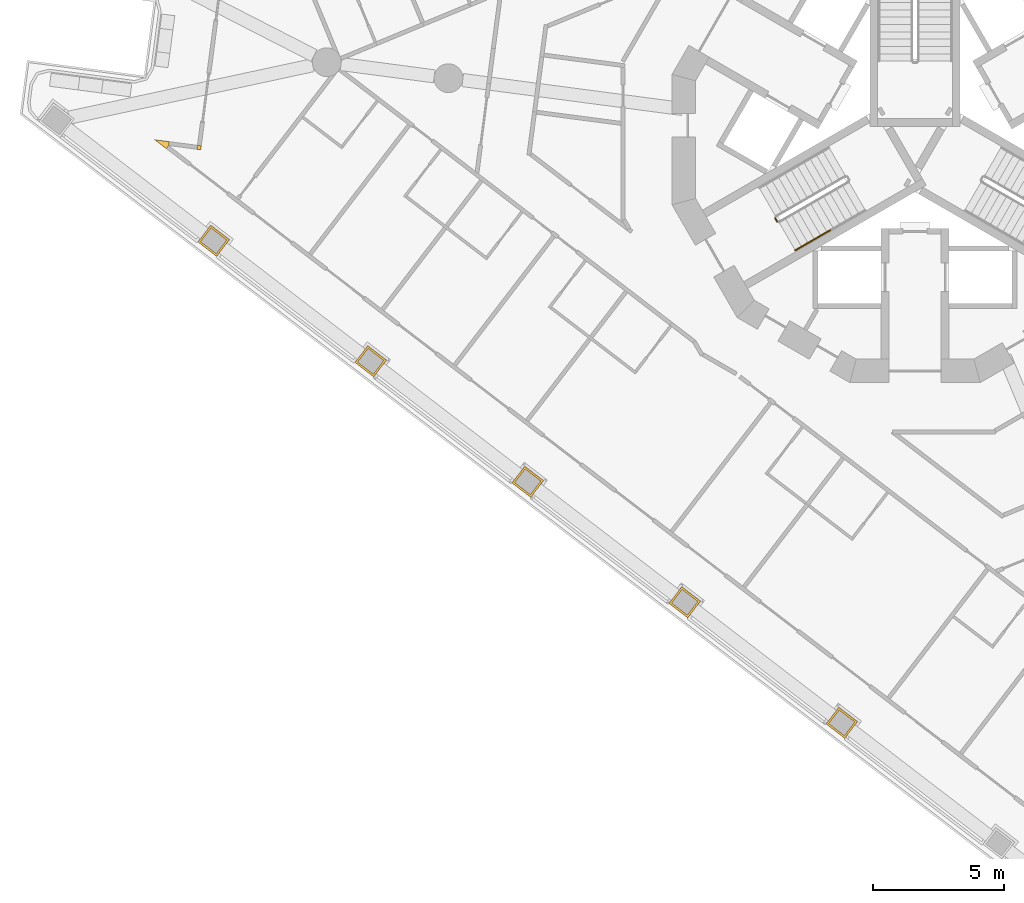
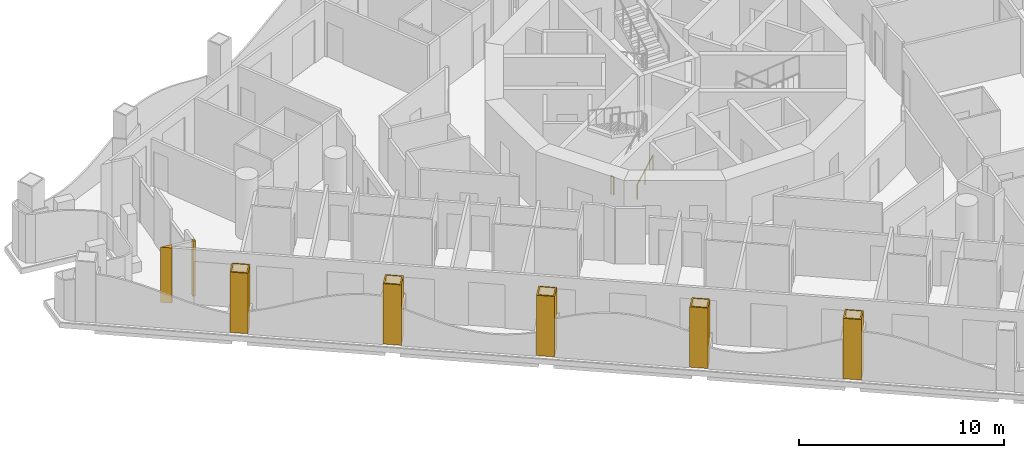
# One storey, part 11 of 17: 7 coverings, 2 railings.
"""IFC4 building model written with IfcOpenShell, lengths in metres."""

from ifc_helpers import new_model, si_unit, direction, frame, origin, origin_2d, place, context, subcontext, project, spatial, polyline, circle, outline, extrude, material, layer, layer_set, type_object, element, save


model = new_model("IFC4")

# Units and contexts
model_context = context("Model", 3, precision=1e-05, world=origin(), true_north=direction((0.0, 1.0)))
body_context = subcontext(model_context, "Body", "Model", "MODEL_VIEW")
ifc_project = project(units=[si_unit("LENGTHUNIT", "METRE"), si_unit("AREAUNIT", "SQUARE_METRE"), si_unit("VOLUMEUNIT", "CUBIC_METRE"), si_unit("PLANEANGLEUNIT", "RADIAN"), si_unit("MASSUNIT", "GRAM", prefix="KILO")], contexts=[model_context])

# Site, building, storey
site_placement = place(None, origin())
site = spatial("IfcSite", under=ifc_project, at=site_placement, CompositionType="ELEMENT")
building_placement = place(site_placement, origin())
building = spatial("IfcBuilding", under=site, at=building_placement, Name="Trine Commons Tower", CompositionType="ELEMENT")
storey_placement = place(building_placement, frame((0.0, 0.0, 138.60009765625)))
storey = spatial("IfcBuildingStorey", under=building, at=storey_placement, Name="L35", CompositionType="ELEMENT", Elevation=138.60009765625)

# Coverings
ifc_material_1 = material(Name="Aluminium-framed insulated wall panel", Category="aluminium")
ifc_layer_1 = layer(ifc_material_1, 0.14990234375)
ifc_layer_set_1 = layer_set([ifc_layer_1], Name="Aluminium-framed insulated wall panel")
covering_type_1 = type_object("IfcCoveringType", Name="Glazing corner post, aluminium", PredefinedType="CLADDING", material=ifc_layer_set_1)
covering_1_placement = place(storey_placement, origin())
element("IfcCovering", 1, at=covering_1_placement, inside=storey, type_object=covering_type_1, Name="Glazing corner post 4-01", PredefinedType="CLADDING", context=body_context, shape_type="SweptSolid", body=[
    extrude(outline(polyline([(51.43359375, 62.15576171875), (51.52490234375, 62.27490234375), (51.54443359375, 62.423583984375), (50.989501953125, 62.49658203125), (51.43359375, 62.15576171875)])), origin(), (0.0, 0.0, 1.0), 3.2998046875),
])
covering_2_placement = place(storey_placement, origin())
element("IfcCovering", 2, at=covering_2_placement, inside=storey, type_object=covering_type_1, Name="Glazing corner post 4-02", PredefinedType="CLADDING", context=body_context, shape_type="SweptSolid", body=[
    extrude(outline(polyline([(52.601318359375, 62.133056640625), (52.75, 62.113525390625), (52.76953125, 62.26220703125), (52.620849609375, 62.28173828125), (52.601318359375, 62.133056640625)])), origin(), (0.0, 0.0, 1.0), 3.2998046875),
])
ifc_material_2 = material(Name="Limestone, honed", Category="masonry")
ifc_layer_2 = layer(ifc_material_2, 0.074951171875)
ifc_layer_set_2 = layer_set([ifc_layer_2], Name="Limestone, honed")
covering_type_2 = type_object("IfcCoveringType", Name="Limestone column cladding 75", PredefinedType="CLADDING", material=ifc_layer_set_2)
covering_3_placement = place(storey_placement, origin())
element("IfcCovering", 3, at=covering_3_placement, inside=storey, type_object=covering_type_2, Name="Limestone pier cladding 4-03", PredefinedType="CLADDING", context=body_context, shape_type="SweptSolid", body=[
    extrude(outline(polyline([(77.092041015625, 40.84130859375), (76.60498046875, 40.206787109375), (77.319091796875, 39.65869140625), (77.805908203125, 40.29345703125), (77.092041015625, 40.84130859375)]), holes=[polyline([(77.105712890625, 40.736083984375), (76.710205078125, 40.220458984375), (77.30517578125, 39.763916015625), (77.700927734375, 40.27978515625), (77.105712890625, 40.736083984375)])]), origin(), (0.0, 0.0, 1.0), 3.599853515625),
])
covering_4_placement = place(storey_placement, origin())
element("IfcCovering", 4, at=covering_4_placement, inside=storey, type_object=covering_type_2, Name="Limestone pier cladding 4-04", PredefinedType="CLADDING", context=body_context, shape_type="SweptSolid", body=[
    extrude(outline(polyline([(71.1005859375, 45.438720703125), (70.61376953125, 44.803955078125), (71.32763671875, 44.256103515625), (71.814697265625, 44.890869140625), (71.1005859375, 45.438720703125)]), holes=[polyline([(71.114501953125, 45.33349609375), (70.71875, 44.81787109375), (71.31396484375, 44.361328125), (71.709716796875, 44.876953125), (71.114501953125, 45.33349609375)])]), origin(), (0.0, 0.0, 1.0), 3.599853515625),
])
covering_5_placement = place(storey_placement, origin())
element("IfcCovering", 5, at=covering_5_placement, inside=storey, type_object=covering_type_2, Name="Limestone pier cladding 4-05", PredefinedType="CLADDING", context=body_context, shape_type="SweptSolid", body=[
    extrude(outline(polyline([(65.109375, 50.035888671875), (64.622314453125, 49.4013671875), (65.336181640625, 48.853515625), (65.8232421875, 49.488037109375), (65.109375, 50.035888671875)]), holes=[polyline([(65.123046875, 49.930908203125), (64.727294921875, 49.4150390625), (65.322509765625, 48.95849609375), (65.71826171875, 49.474365234375), (65.123046875, 49.930908203125)])]), origin(), (0.0, 0.0, 1.0), 3.599853515625),
])
covering_6_placement = place(storey_placement, origin())
element("IfcCovering", 6, at=covering_6_placement, inside=storey, type_object=covering_type_2, Name="Limestone pier cladding 4-06", PredefinedType="CLADDING", context=body_context, shape_type="SweptSolid", body=[
    extrude(outline(polyline([(59.117919921875, 54.63330078125), (58.631103515625, 53.998779296875), (59.344970703125, 53.45068359375), (59.83203125, 54.08544921875), (59.117919921875, 54.63330078125)]), holes=[polyline([(59.1318359375, 54.5283203125), (58.736083984375, 54.012451171875), (59.331298828125, 53.555908203125), (59.726806640625, 54.07177734375), (59.1318359375, 54.5283203125)])]), origin(), (0.0, 0.0, 1.0), 3.599853515625),
])
covering_7_placement = place(storey_placement, origin())
element("IfcCovering", 7, at=covering_7_placement, inside=storey, type_object=covering_type_2, Name="Limestone pier cladding 4-07", PredefinedType="CLADDING", context=body_context, shape_type="SweptSolid", body=[
    extrude(outline(polyline([(53.126708984375, 59.230712890625), (52.6396484375, 58.595947265625), (53.353515625, 58.048095703125), (53.840576171875, 58.682861328125), (53.126708984375, 59.230712890625)]), holes=[polyline([(53.140380859375, 59.12548828125), (52.74462890625, 58.60986328125), (53.33984375, 58.1533203125), (53.735595703125, 58.6689453125), (53.140380859375, 59.12548828125)])]), origin(), (0.0, 0.0, 1.0), 3.599853515625),
])

# Railings
ifc_material_3 = material(Name="Stainless steel balustrade", Category="steel")
railing_type_1 = type_object("IfcRailingType", Name="Stair guard, steel balustrade 1100", PredefinedType="GUARDRAIL", material=ifc_material_3)
railing_1_placement = place(storey_placement, frame((74.73681640625, 59.374755859375, 0.0)))
element("IfcRailing", 8, at=railing_1_placement, inside=storey, type_object=railing_type_1, Name="L35 ST2B stair guard 4", PredefinedType="GUARDRAIL", context=body_context, shape_type="SweptSolid", body=[
    extrude(circle(Radius=0.02392578125, at=origin_2d()), frame((0.0, 0.0, 1.076171875), z_axis=(-0.499816412211, 0.866131372301, 0.0), x_axis=(-0.866131372301, -0.499816412211, 0.0)), (0.0, 0.0, 1.0), 0.14990234375),
    extrude(circle(Radius=0.02099609375, at=origin_2d()), origin(), (0.0, 0.0, 1.0), 1.052001953125),
    extrude(circle(Radius=0.02099609375, at=origin_2d()), frame((-0.074951171875, 0.1298828125, 0.0)), (0.0, 0.0, 1.0), 1.052001953125),
])
ifc_material_4 = material(Name="Stainless steel handrail", Category="steel")
railing_type_2 = type_object("IfcRailingType", Name="Stair handrail, steel 900", PredefinedType="HANDRAIL", material=ifc_material_4)
railing_2_placement = place(storey_placement, frame((75.43017578125, 58.27392578125, 0.14990234375)))
element("IfcRailing", 9, at=railing_2_placement, inside=storey, type_object=railing_type_2, Name="L35 ST2B stair handrail 1", PredefinedType="HANDRAIL", context=body_context, shape_type="SweptSolid", body=[
    extrude(circle(Radius=0.02099609375, at=origin_2d()), frame((0.0, 0.0, 0.87890625), z_axis=(0.76340495495, 0.440743040072, 0.472184759798), x_axis=(-0.499992328818, 0.866029832698, 0.0)), (0.0, 0.0, 1.0), 1.7470703125),
    extrude(circle(Radius=0.01513671875, at=origin_2d()), origin(), (0.0, 0.0, 1.0), 0.85791015625),
    extrude(circle(Radius=0.01513671875, at=origin_2d()), frame((0.6669921875, 0.385009765625, 0.41259765625)), (0.0, 0.0, 1.0), 0.85791015625),
    extrude(circle(Radius=0.01513671875, at=origin_2d()), frame((1.333740234375, 0.77001953125, 0.824951171875)), (0.0, 0.0, 1.0), 0.85791015625),
])

save(model, "model.ifc")
